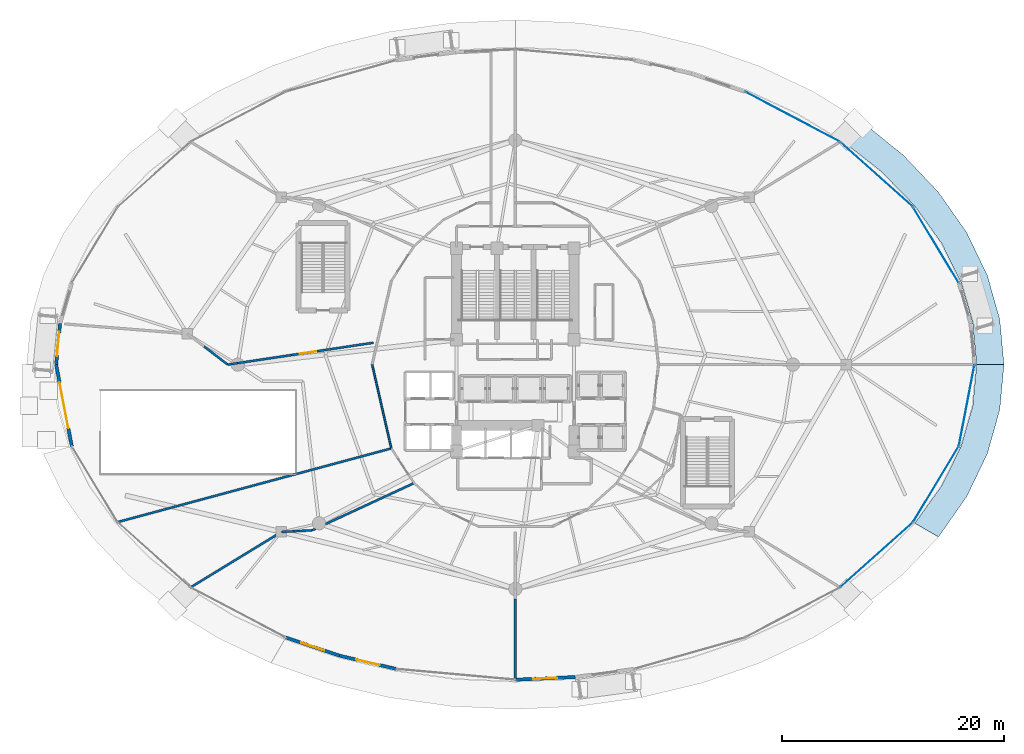
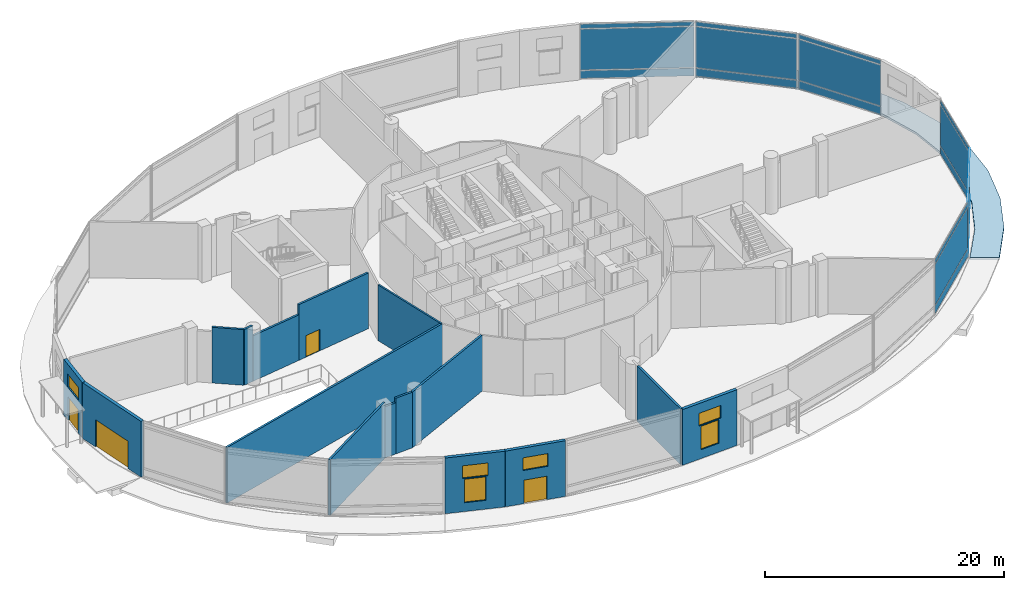
# One storey, part 30 of 40: 18 plates, 16 walls, 6 windows, 4 doors, 2 slabs, 10 openings, 6 elements without a shape of their own.
"""IFC4 building model written with IfcOpenShell, lengths in metres."""

import ifcopenshell
import ifcopenshell.guid

model = None  # the IFC model being written
_history = None  # IfcOwnerHistory: only IFC2X3 demands one
_inside = {}  # id of a spatial element -> (the spatial element, [elements in it])
_under = {}  # id of a project, library or spatial element -> (it, [spatial elements below it])
_declared = {}  # id of a project -> (the project, [libraries it declares])
_typed = {}  # id of a type object -> (the type object, [elements of that type])
_made_of = {}  # id of a material, layer set ... -> (it, [elements and type objects made of it])


def new_model(schema):
    """Start an empty IFC model of exactly this schema.

    Asked for "IFC4X3", IfcOpenShell would pick the latest addendum, in which some entities
    have other attributes; the version numbers below select the first issue.
    IFC2X3 requires an IfcOwnerHistory on every rooted entity: one is made here for all.
    """
    global model, _history
    if schema == "IFC4X3":
        model = ifcopenshell.file(schema_version=(4, 3, 0, 0))
    else:
        model = ifcopenshell.file(schema=schema)
    _inside.clear()
    _under.clear()
    _declared.clear()
    _typed.clear()
    _made_of.clear()
    _history = None
    if model.schema == "IFC2X3":
        org = make("IfcOrganization", Name="unknown")
        user = make(
            "IfcPersonAndOrganization",
            ThePerson=make("IfcPerson", FamilyName="unknown"),
            TheOrganization=org,
        )
        app = make(
            "IfcApplication",
            ApplicationDeveloper=org,
            Version="unknown",
            ApplicationFullName="unknown",
            ApplicationIdentifier="unknown",
        )
        _history = make(
            "IfcOwnerHistory",
            OwningUser=user,
            OwningApplication=app,
            ChangeAction="ADDED",
            CreationDate=0,
        )
    return model


def make(cls, **values):
    """One entity of the class cls with the attributes given. An attribute that is None is left unset."""
    return model.create_entity(
        cls, **{name: value for name, value in values.items() if value is not None}
    )


def rooted(cls, **values):
    """An entity with a GlobalId (a new one), such as an element, a storey or a relation."""
    return make(cls, GlobalId=ifcopenshell.guid.new(), OwnerHistory=_history, **values)


def si_unit(unit_type, name, prefix=None):
    """IfcSIUnit, for example si_unit("LENGTHUNIT", "METRE", prefix="MILLI")."""
    return make("IfcSIUnit", UnitType=unit_type, Prefix=prefix, Name=name)


def assignment(units):
    """IfcUnitAssignment: the units of a project."""
    return None if units is None else make("IfcUnitAssignment", Units=units)


def point(xyz):
    """IfcCartesianPoint."""
    return None if xyz is None else make("IfcCartesianPoint", Coordinates=xyz)


def direction(xyz):
    """IfcDirection."""
    return None if xyz is None else make("IfcDirection", DirectionRatios=xyz)


def frame(location, z_axis=None, x_axis=None):
    """IfcAxis2Placement3D, a coordinate frame: its origin and axes. An axis left out is left unset."""
    return make(
        "IfcAxis2Placement3D",
        Location=point(location),
        Axis=direction(z_axis),
        RefDirection=direction(x_axis),
    )


def frame_2d(location, x_axis=None):
    """IfcAxis2Placement2D, a coordinate frame in the plane: its origin and x axis."""
    return make(
        "IfcAxis2Placement2D", Location=point(location), RefDirection=direction(x_axis)
    )


def origin():
    """The frame at (0, 0, 0) with its axes left unset."""
    return frame((0.0, 0.0, 0.0))


def origin_2d():
    """The frame at (0, 0) in the plane with its x axis left unset."""
    return frame_2d((0.0, 0.0))


def place(relative_to, where):
    """IfcLocalPlacement: puts the frame where relative to a parent placement (None: the world)."""
    return make(
        "IfcLocalPlacement", PlacementRelTo=relative_to, RelativePlacement=where
    )


def context(
    kind, dimensions, precision=None, world=None, true_north=None, identifier=None
):
    """IfcGeometricRepresentationContext, for example the 3D "Model" context."""
    return make(
        "IfcGeometricRepresentationContext",
        ContextIdentifier=identifier,
        ContextType=kind,
        CoordinateSpaceDimension=dimensions,
        Precision=precision,
        WorldCoordinateSystem=world,
        TrueNorth=true_north,
    )


def subcontext(parent, identifier, kind, view, scale=None):
    """IfcGeometricRepresentationSubContext, for example "Body" below "Model"."""
    return make(
        "IfcGeometricRepresentationSubContext",
        ContextIdentifier=identifier,
        ContextType=kind,
        ParentContext=parent,
        TargetScale=scale,
        TargetView=view,
    )


def project(units=None, contexts=None):
    """IfcProject with its units and contexts."""
    return rooted(
        "IfcProject",
        Name="project",
        RepresentationContexts=contexts,
        UnitsInContext=assignment(units),
    )


def spatial(cls, under=None, at=None, **own):
    """A site, building, storey or space (cls), placed at a placement, below another one or the project."""
    s = rooted(cls, ObjectPlacement=at, **own)
    if under is not None:
        _under.setdefault(under.id(), (under, []))[1].append(s)
    return s


def polyline(points):
    """IfcPolyline through the points."""
    return make("IfcPolyline", Points=[point(p) for p in points])


def profile(cls, at=None, kind="AREA", **sizes):
    """A parametric profile (cls). Its sizes go by their IFC names, for example OverallWidth=200.0."""
    return make(cls, ProfileType=kind, Position=at, **sizes)


def rectangle(**sizes):
    """IfcRectangleProfileDef."""
    return profile("IfcRectangleProfileDef", **sizes)


def outline(outer, holes=None, kind="AREA"):
    """IfcArbitraryClosedProfileDef: a profile drawn as a closed curve; with holes, ...WithVoids."""
    if holes is None:
        return make("IfcArbitraryClosedProfileDef", ProfileType=kind, OuterCurve=outer)
    return make(
        "IfcArbitraryProfileDefWithVoids",
        ProfileType=kind,
        OuterCurve=outer,
        InnerCurves=holes,
    )


def extrude(swept, where, along, depth):
    """IfcExtrudedAreaSolid: the profile swept, set in the frame where, extruded along a direction by depth."""
    return make(
        "IfcExtrudedAreaSolid",
        SweptArea=swept,
        Position=where,
        ExtrudedDirection=direction(along),
        Depth=depth,
    )


def shape(context_of_items, identifier, shape_type, items):
    """IfcShapeRepresentation: the items that make up one representation, for example the "Body"."""
    return make(
        "IfcShapeRepresentation",
        ContextOfItems=context_of_items,
        RepresentationIdentifier=identifier,
        RepresentationType=shape_type,
        Items=items,
    )


def material(Name=None, Category=None):
    """IfcMaterial."""
    return make("IfcMaterial", Name=Name, Category=Category)


def layer(
    of_material, thickness, ventilated=None, Name=None, Category=None, Priority=None
):
    """IfcMaterialLayer: one layer of a wall or slab, of a material (None: an air gap)."""
    return make(
        "IfcMaterialLayer",
        Material=of_material,
        LayerThickness=thickness,
        IsVentilated=ventilated,
        Name=Name,
        Category=Category,
        Priority=Priority,
    )


def layer_set(layers, Name=None):
    """IfcMaterialLayerSet."""
    return make("IfcMaterialLayerSet", MaterialLayers=layers, LayerSetName=Name)


def made_of(thing, what):
    """Note that an element or type object is made of a material, layer set ...; save() writes the relation."""
    if what is not None:
        _made_of.setdefault(what.id(), (what, []))[1].append(thing)
    return thing


def type_object(cls, material=None, **own):
    """A type object (cls), such as IfcWallType, which elements share."""
    return made_of(rooted(cls, **own), material)


def element(
    cls,
    number,
    at=None,
    inside=None,
    cuts=None,
    type_object=None,
    material=None,
    context=None,
    identifier="Body",
    shape_type=None,
    held_by="IfcProductDefinitionShape",
    body=None,
    shapes=None,
    **own,
):
    """One element of the class cls, such as IfcWall. Its Tag is "e" and its number.

    at: its placement. inside: the storey or other place that contains it. cuts: it is an
    opening in that element (IfcRelVoidsElement). A single representation is given by context,
    identifier, shape_type and body (its items); several are given by shapes. held_by: the class
    of the entity that holds the representations. save() writes the other relations.
    """
    e = rooted(cls, Tag="e%d" % number, ObjectPlacement=at, **own)
    if body is not None:
        shapes = [shape(context, identifier, shape_type, body)]
    if shapes is not None:
        e.Representation = make(held_by, Representations=shapes)
    if inside is not None:
        _inside.setdefault(inside.id(), (inside, []))[1].append(e)
    if cuts is not None:
        rooted(
            "IfcRelVoidsElement", RelatingBuildingElement=cuts, RelatedOpeningElement=e
        )
    if type_object is not None:
        _typed.setdefault(type_object.id(), (type_object, []))[1].append(e)
    return made_of(e, material)


def fill(opening, filler):
    """IfcRelFillsElement: the door or window that sits in an opening."""
    return rooted(
        "IfcRelFillsElement",
        RelatingOpeningElement=opening,
        RelatedBuildingElement=filler,
    )


def aggregate(whole, parts):
    """IfcRelAggregates: a whole, such as a stair, and the parts it consists of."""
    return rooted("IfcRelAggregates", RelatingObject=whole, RelatedObjects=parts)


def save(model, path):
    """Write the relations noted so far, then the file.

    IfcRelAggregates (storeys below a building ...), IfcRelContainedInSpatialStructure (elements
    in a storey), IfcRelDefinesByType, IfcRelAssociatesMaterial and IfcRelDeclares: one each for
    every whole, place, type object, material and project.
    """
    for whole, parts in _under.values():
        aggregate(whole, parts)
    for where, things in _inside.values():
        rooted(
            "IfcRelContainedInSpatialStructure",
            RelatedElements=things,
            RelatingStructure=where,
        )
    for kind, things in _typed.values():
        rooted("IfcRelDefinesByType", RelatedObjects=things, RelatingType=kind)
    for what, things in _made_of.values():
        rooted("IfcRelAssociatesMaterial", RelatedObjects=things, RelatingMaterial=what)
    for by, libraries in _declared.values():
        rooted("IfcRelDeclares", RelatingContext=by, RelatedDefinitions=libraries)
    model.write(path)


model = new_model("IFC4")

# Units and contexts
model_context = context("Model", 3, precision=1e-05, world=origin(), true_north=direction((0.0, 1.0)))
body_context = subcontext(model_context, "Body", "Model", "MODEL_VIEW")
ifc_project = project(units=[si_unit("LENGTHUNIT", "METRE"), si_unit("AREAUNIT", "SQUARE_METRE"), si_unit("VOLUMEUNIT", "CUBIC_METRE"), si_unit("PLANEANGLEUNIT", "RADIAN"), si_unit("MASSUNIT", "GRAM", prefix="KILO")], contexts=[model_context])

# Site, building, storey
site_placement = place(None, origin())
site = spatial("IfcSite", under=ifc_project, at=site_placement, CompositionType="ELEMENT")
building_placement = place(site_placement, origin())
building = spatial("IfcBuilding", under=site, at=building_placement, Name="Nuhasar Tower", CompositionType="ELEMENT")
storey_placement = place(building_placement, origin())
storey = spatial("IfcBuildingStorey", under=building, at=storey_placement, Name="L00", CompositionType="ELEMENT", Elevation=0.0)

# Curtain wall, plates
ifc_material_1 = material(Name="Aluminium 6063-T6", Category="aluminium")
ifc_layer_1 = layer(ifc_material_1, 0.219970703125)
ifc_layer_set_1 = layer_set([ifc_layer_1], Name="Aluminium 6063-T6")
curtain_wall_type = type_object("IfcCurtainWallType", Name="CW-PODIUM", PredefinedType="NOTDEFINED", material=ifc_layer_set_1)
curtain_wall_1_placement = place(storey_placement, origin())
curtain_wall_1 = element("IfcCurtainWall", 1, at=curtain_wall_1_placement, inside=storey, type_object=curtain_wall_type, Name="L00 Podium Curtain Wall Bay 02", PredefinedType="NOTDEFINED")
ifc_material_2 = material(Name="Glass Double Low-E", Category="glass")
ifc_layer_2 = layer(ifc_material_2, 0.028076171875)
ifc_layer_set_2 = layer_set([ifc_layer_2], Name="Glass Double Low-E")
plate_type_1 = type_object("IfcPlateType", Name="CW-PANEL-GLZ", PredefinedType="CURTAIN_PANEL", material=ifc_layer_set_2)
plate_1_placement = place(storey_placement, frame((76.9580078125, 37.590576171875, 0.9375), z_axis=(0.0, 0.0, 1.0), x_axis=(-0.516751732158, 0.856135297317, 0.0)))
plate_1 = element("IfcPlate", 2, at=plate_1_placement, type_object=plate_type_1, Name="CW-P1 panel 1.2", PredefinedType="CURTAIN_PANEL", context=body_context, shape_type="SweptSolid", body=[
    extrude(rectangle(XDim=7.861572265625, YDim=0.028076171875, at=origin_2d()), origin(), (0.0, 0.0, 1.0), 4.175048828125),
])
plate_2_placement = place(storey_placement, frame((76.9580078125, 37.590576171875, 5.1875), z_axis=(0.0, 0.0, 1.0), x_axis=(-0.516751732158, 0.856135297317, 0.0)))
plate_2 = element("IfcPlate", 3, at=plate_2_placement, type_object=plate_type_1, Name="CW-P1 panel 1.3", PredefinedType="CURTAIN_PANEL", context=body_context, shape_type="SweptSolid", body=[
    extrude(rectangle(XDim=7.861572265625, YDim=0.028076171875, at=origin_2d()), origin(), (0.0, 0.0, 1.0), 0.4375),
])

curtain_wall_2_placement = place(storey_placement, origin())
curtain_wall_2 = element("IfcCurtainWall", 4, at=curtain_wall_2_placement, inside=storey, type_object=curtain_wall_type, Name="L00 Podium Curtain Wall Bay 03", PredefinedType="NOTDEFINED")
plate_3_placement = place(storey_placement, frame((71.595458984375, 43.965087890625, 0.9375), z_axis=(0.0, 0.0, 1.0), x_axis=(-0.745344915348, 0.666679051092, 0.0)))
plate_3 = element("IfcPlate", 5, at=plate_3_placement, type_object=plate_type_1, Name="CW-P1 panel 1.2", PredefinedType="CURTAIN_PANEL", context=body_context, shape_type="SweptSolid", body=[
    extrude(rectangle(XDim=8.684814453125, YDim=0.028076171875, at=origin_2d()), origin(), (0.0, 0.0, 1.0), 4.175048828125),
])
plate_4_placement = place(storey_placement, frame((71.595458984375, 43.965087890625, 5.1875), z_axis=(0.0, 0.0, 1.0), x_axis=(-0.745344915348, 0.666679051092, 0.0)))
plate_4 = element("IfcPlate", 6, at=plate_4_placement, type_object=plate_type_1, Name="CW-P1 panel 1.3", PredefinedType="CURTAIN_PANEL", context=body_context, shape_type="SweptSolid", body=[
    extrude(rectangle(XDim=8.684814453125, YDim=0.028076171875, at=origin_2d()), origin(), (0.0, 0.0, 1.0), 0.4375),
])

curtain_wall_3_placement = place(storey_placement, origin())
curtain_wall_3 = element("IfcCurtainWall", 7, at=curtain_wall_3_placement, inside=storey, type_object=curtain_wall_type, Name="L00 Podium Curtain Wall Bay 04", PredefinedType="NOTDEFINED")
plate_5_placement = place(storey_placement, frame((64.011474609375, 49.169921875, 0.9375), z_axis=(0.0, 0.0, 1.0), x_axis=(-0.88480638751, 0.46595885722, 0.0)))
plate_5 = element("IfcPlate", 8, at=plate_5_placement, type_object=plate_type_1, Name="CW-P1 panel 1.2", PredefinedType="CURTAIN_PANEL", context=body_context, shape_type="SweptSolid", body=[
    extrude(rectangle(XDim=9.550537109375, YDim=0.028076171875, at=origin_2d()), origin(), (0.0, 0.0, 1.0), 4.175048828125),
])
plate_6_placement = place(storey_placement, frame((64.011474609375, 49.169921875, 5.1875), z_axis=(0.0, 0.0, 1.0), x_axis=(-0.88480638751, 0.46595885722, 0.0)))
plate_6 = element("IfcPlate", 9, at=plate_6_placement, type_object=plate_type_1, Name="CW-P1 panel 1.3", PredefinedType="CURTAIN_PANEL", context=body_context, shape_type="SweptSolid", body=[
    extrude(rectangle(XDim=9.550537109375, YDim=0.028076171875, at=origin_2d()), origin(), (0.0, 0.0, 1.0), 0.4375),
])

curtain_wall_4_placement = place(storey_placement, origin())
curtain_wall_4 = element("IfcCurtainWall", 10, at=curtain_wall_4_placement, inside=storey, type_object=curtain_wall_type, Name="L00 Podium Curtain Wall Bay 22", PredefinedType="NOTDEFINED")
plate_7_placement = place(storey_placement, frame((71.595458984375, 9.635009765625, 0.9375), z_axis=(0.0, 0.0, 1.0), x_axis=(0.745344915348, 0.666679051092, 0.0)))
plate_7 = element("IfcPlate", 11, at=plate_7_placement, type_object=plate_type_1, Name="CW-P1 panel 1.2", PredefinedType="CURTAIN_PANEL", context=body_context, shape_type="SweptSolid", body=[
    extrude(rectangle(XDim=8.684814453125, YDim=0.028076171875, at=origin_2d()), origin(), (0.0, 0.0, 1.0), 4.175048828125),
])
plate_8_placement = place(storey_placement, frame((71.595458984375, 9.635009765625, 5.1875), z_axis=(0.0, 0.0, 1.0), x_axis=(0.745344915348, 0.666679051092, 0.0)))
plate_8 = element("IfcPlate", 12, at=plate_8_placement, type_object=plate_type_1, Name="CW-P1 panel 1.3", PredefinedType="CURTAIN_PANEL", context=body_context, shape_type="SweptSolid", body=[
    extrude(rectangle(XDim=8.684814453125, YDim=0.028076171875, at=origin_2d()), origin(), (0.0, 0.0, 1.0), 0.4375),
])

curtain_wall_5_placement = place(storey_placement, origin())
curtain_wall_5 = element("IfcCurtainWall", 13, at=curtain_wall_5_placement, inside=storey, type_object=curtain_wall_type, Name="L00 Podium Curtain Wall Bay 23", PredefinedType="NOTDEFINED")
plate_9_placement = place(storey_placement, frame((76.9580078125, 16.009521484375, 0.9375), z_axis=(0.0, 0.0, 1.0), x_axis=(0.516751732158, 0.856135297317, 0.0)))
plate_9 = element("IfcPlate", 14, at=plate_9_placement, type_object=plate_type_1, Name="CW-P1 panel 1.2", PredefinedType="CURTAIN_PANEL", context=body_context, shape_type="SweptSolid", body=[
    extrude(rectangle(XDim=7.861572265625, YDim=0.028076171875, at=origin_2d()), origin(), (0.0, 0.0, 1.0), 4.175048828125),
])
plate_10_placement = place(storey_placement, frame((76.9580078125, 16.009521484375, 5.1875), z_axis=(0.0, 0.0, 1.0), x_axis=(0.516751732158, 0.856135297317, 0.0)))
plate_10 = element("IfcPlate", 15, at=plate_10_placement, type_object=plate_type_1, Name="CW-P1 panel 1.3", PredefinedType="CURTAIN_PANEL", context=body_context, shape_type="SweptSolid", body=[
    extrude(rectangle(XDim=7.861572265625, YDim=0.028076171875, at=origin_2d()), origin(), (0.0, 0.0, 1.0), 0.4375),
])

curtain_wall_6_placement = place(storey_placement, origin())
curtain_wall_6 = element("IfcCurtainWall", 16, at=curtain_wall_6_placement, inside=storey, type_object=curtain_wall_type, Name="L00 Podium Curtain Wall Bay 24", PredefinedType="NOTDEFINED")
plate_11_placement = place(storey_placement, frame((79.73388671875, 23.119384765625, 0.9375), z_axis=(0.0, 0.0, 1.0), x_axis=(0.18838716415, 0.982094840829, 0.0)))
plate_11 = element("IfcPlate", 17, at=plate_11_placement, type_object=plate_type_1, Name="CW-P1 panel 1.2", PredefinedType="CURTAIN_PANEL", context=body_context, shape_type="SweptSolid", body=[
    extrude(rectangle(XDim=7.34521484375, YDim=0.028076171875, at=origin_2d()), origin(), (0.0, 0.0, 1.0), 4.175048828125),
])
plate_12_placement = place(storey_placement, frame((79.73388671875, 23.119384765625, 5.1875), z_axis=(0.0, 0.0, 1.0), x_axis=(0.18838716415, 0.982094840829, 0.0)))
plate_12 = element("IfcPlate", 18, at=plate_12_placement, type_object=plate_type_1, Name="CW-P1 panel 1.3", PredefinedType="CURTAIN_PANEL", context=body_context, shape_type="SweptSolid", body=[
    extrude(rectangle(XDim=7.34521484375, YDim=0.028076171875, at=origin_2d()), origin(), (0.0, 0.0, 1.0), 0.4375),
])

# Plate
ifc_material_3 = material(Name="Glass Spandrel", Category="glass")
ifc_layer_3 = layer(ifc_material_3, 0.035888671875)
ifc_layer_set_3 = layer_set([ifc_layer_3], Name="Glass Spandrel")
plate_type_2 = type_object("IfcPlateType", Name="CW-PANEL-SPN", PredefinedType="CURTAIN_PANEL", material=ifc_layer_set_3)
plate_13_placement = place(storey_placement, frame((76.9580078125, 37.590576171875, 0.074951171875), z_axis=(0.0, 0.0, 1.0), x_axis=(-0.516751732158, 0.856135297317, 0.0)))
plate_13 = element("IfcPlate", 19, at=plate_13_placement, type_object=plate_type_2, Name="CW-P1 panel 1.1", PredefinedType="CURTAIN_PANEL", context=body_context, shape_type="SweptSolid", body=[
    extrude(rectangle(XDim=7.861572265625, YDim=0.035888671875, at=origin_2d()), origin(), (0.0, 0.0, 1.0), 0.78759765625),
])

aggregate(curtain_wall_1, [plate_13, plate_1, plate_2])

plate_14_placement = place(storey_placement, frame((71.595458984375, 43.965087890625, 0.074951171875), z_axis=(0.0, 0.0, 1.0), x_axis=(-0.745344915348, 0.666679051092, 0.0)))
plate_14 = element("IfcPlate", 20, at=plate_14_placement, type_object=plate_type_2, Name="CW-P1 panel 1.1", PredefinedType="CURTAIN_PANEL", context=body_context, shape_type="SweptSolid", body=[
    extrude(rectangle(XDim=8.684814453125, YDim=0.035888671875, at=origin_2d()), origin(), (0.0, 0.0, 1.0), 0.78759765625),
])

aggregate(curtain_wall_2, [plate_14, plate_3, plate_4])

plate_15_placement = place(storey_placement, frame((64.011474609375, 49.169921875, 0.074951171875), z_axis=(0.0, 0.0, 1.0), x_axis=(-0.88480638751, 0.46595885722, 0.0)))
plate_15 = element("IfcPlate", 21, at=plate_15_placement, type_object=plate_type_2, Name="CW-P1 panel 1.1", PredefinedType="CURTAIN_PANEL", context=body_context, shape_type="SweptSolid", body=[
    extrude(rectangle(XDim=9.550537109375, YDim=0.035888671875, at=origin_2d()), origin(), (0.0, 0.0, 1.0), 0.78759765625),
])

aggregate(curtain_wall_3, [plate_15, plate_5, plate_6])

plate_16_placement = place(storey_placement, frame((71.595458984375, 9.635009765625, 0.074951171875), z_axis=(0.0, 0.0, 1.0), x_axis=(0.745344915348, 0.666679051092, 0.0)))
plate_16 = element("IfcPlate", 22, at=plate_16_placement, type_object=plate_type_2, Name="CW-P1 panel 1.1", PredefinedType="CURTAIN_PANEL", context=body_context, shape_type="SweptSolid", body=[
    extrude(rectangle(XDim=8.684814453125, YDim=0.035888671875, at=origin_2d()), origin(), (0.0, 0.0, 1.0), 0.78759765625),
])

aggregate(curtain_wall_4, [plate_16, plate_7, plate_8])

plate_17_placement = place(storey_placement, frame((76.9580078125, 16.009521484375, 0.074951171875), z_axis=(0.0, 0.0, 1.0), x_axis=(0.516751732158, 0.856135297317, 0.0)))
plate_17 = element("IfcPlate", 23, at=plate_17_placement, type_object=plate_type_2, Name="CW-P1 panel 1.1", PredefinedType="CURTAIN_PANEL", context=body_context, shape_type="SweptSolid", body=[
    extrude(rectangle(XDim=7.861572265625, YDim=0.035888671875, at=origin_2d()), origin(), (0.0, 0.0, 1.0), 0.78759765625),
])

aggregate(curtain_wall_5, [plate_17, plate_9, plate_10])

plate_18_placement = place(storey_placement, frame((79.73388671875, 23.119384765625, 0.074951171875), z_axis=(0.0, 0.0, 1.0), x_axis=(0.18838716415, 0.982094840829, 0.0)))
plate_18 = element("IfcPlate", 24, at=plate_18_placement, type_object=plate_type_2, Name="CW-P1 panel 1.1", PredefinedType="CURTAIN_PANEL", context=body_context, shape_type="SweptSolid", body=[
    extrude(rectangle(XDim=7.34521484375, YDim=0.035888671875, at=origin_2d()), origin(), (0.0, 0.0, 1.0), 0.78759765625),
])

aggregate(curtain_wall_6, [plate_18, plate_11, plate_12])

# Slabs
ifc_material_4 = material(Name="Concrete C40/50", Category="concrete")
ifc_layer_4 = layer(ifc_material_4, 0.219970703125)
ifc_layer_set_4 = layer_set([ifc_layer_4], Name="Concrete C40/50")
slab_type = type_object("IfcSlabType", Name="SLB-PAV-220", PredefinedType="USERDEFINED", material=ifc_layer_set_4)
slab_1_placement = place(storey_placement, frame((0.0, 0.0, -0.219970703125)))
element("IfcSlab", 25, at=slab_1_placement, inside=storey, type_object=slab_type, Name="L00 Arrival Forecourt Plaza E", ObjectType="PAVING", PredefinedType="USERDEFINED", context=body_context, shape_type="SweptSolid", body=[
    extrude(outline(polyline([(83.10009765625, 26.800048828125), (82.722900390625, 30.85888671875), (81.596923828125, 34.84912109375), (79.742919921875, 38.700927734375), (77.19189453125, 42.35009765625), (73.987060546875, 45.73193359375), (70.18310546875, 48.791015625), (68.43701171875, 47.0439453125), (72.027099609375, 44.22900390625), (75.052978515625, 41.114990234375), (77.4609375, 37.756103515625), (79.2109375, 34.2099609375), (80.27392578125, 30.537109375), (80.6298828125, 26.800048828125), (83.10009765625, 26.800048828125)])), origin(), (0.0, 0.0, 1.0), 0.219970703125),
])
slab_2_placement = place(storey_placement, frame((0.0, 0.0, -0.219970703125)))
element("IfcSlab", 26, at=slab_2_placement, inside=storey, type_object=slab_type, Name="L00 Arrival Forecourt Plaza ESE", ObjectType="PAVING", PredefinedType="USERDEFINED", context=body_context, shape_type="SweptSolid", body=[
    extrude(outline(polyline([(77.19189453125, 11.25), (79.742919921875, 14.89892578125), (81.596923828125, 18.7509765625), (82.722900390625, 22.740966796875), (83.10009765625, 26.800048828125), (80.6298828125, 26.800048828125), (80.27392578125, 23.06298828125), (79.2109375, 19.389892578125), (77.4609375, 15.843994140625), (75.052978515625, 12.485107421875), (77.19189453125, 11.25)])), origin(), (0.0, 0.0, 1.0), 0.219970703125),
])

# Wall, openings, door, window
ifc_material_5 = material(Name="Concrete C45/55", Category="concrete")
ifc_layer_5 = layer(ifc_material_5, 0.239990234375)
ifc_material_6 = material(Name="Limestone Ashlar", Category="masonry")
ifc_layer_6 = layer(ifc_material_6, 0.06005859375)
ifc_layer_set_5 = layer_set([ifc_layer_5, ifc_layer_6], Name="Concrete C45/55")
wall_type_1 = type_object("IfcWallType", Name="WL-ARC-300", PredefinedType="STANDARD", material=ifc_layer_set_5)
wall_1_placement = place(storey_placement, frame((-2.43994140625, 26.800048828125, 0.0), z_axis=(0.0, 0.0, 1.0), x_axis=(0.09519839492, 0.995458319371, 0.0)))
wall_1 = element("IfcWall", 27, at=wall_1_placement, inside=storey, type_object=wall_type_1, Name="L00 Limestone Arcade Spandrel Pier 12-2", PredefinedType="STANDARD", context=body_context, shape_type="SweptSolid", body=[
    extrude(rectangle(XDim=3.728759765625, YDim=0.300048828125, at=frame_2d((1.8642578125, 0.0))), origin(), (0.0, 0.0, 1.0), 5.699951171875),
])
opening_1_placement = place(wall_1_placement, frame((0.864013671875, 0.0, 0.0)))
opening_1 = element("IfcOpeningElement", 28, at=opening_1_placement, cuts=wall_1, Name="Opening DX-01", PredefinedType="OPENING", context=body_context, shape_type="SweptSolid", body=[
    extrude(rectangle(XDim=2.0, YDim=2.39990234375, at=frame_2d((1.0, 1.199951171875))), frame((0.0, 0.16015625, 0.0), z_axis=(0.0, -1.0, 0.0), x_axis=(1.0, 0.0, 0.0)), (0.0, 0.0, 1.0), 0.320068359375),
])
opening_2_placement = place(wall_1_placement, frame((0.763916015625, 0.0, 3.39990234375)))
opening_2 = element("IfcOpeningElement", 29, at=opening_2_placement, cuts=wall_1, Name="Opening WX-03", PredefinedType="OPENING", context=body_context, shape_type="SweptSolid", body=[
    extrude(rectangle(XDim=2.199951171875, YDim=1.300048828125, at=frame_2d((1.10009765625, 0.64990234375))), frame((0.0, 0.16015625, 0.0), z_axis=(0.0, -1.0, 0.0), x_axis=(1.0, 0.0, 0.0)), (0.0, 0.0, 1.0), 0.320068359375),
])
door_type_1 = type_object("IfcDoorType", Name="DR-EXT-2000", OperationType="DOUBLE_DOOR_SINGLE_SWING", PredefinedType="DOOR", material=ifc_material_1)
door_1_placement = place(opening_1_placement, origin())
door_1 = element("IfcDoor", 30, at=door_1_placement, inside=storey, type_object=door_type_1, Name="L00 Main Plaza Entrance Portal 12", OperationType="DOUBLE_DOOR_SINGLE_SWING", OverallHeight=2.39990234375, OverallWidth=2.0, PredefinedType="DOOR", context=body_context, shape_type="SweptSolid", body=[
    extrude(rectangle(XDim=2.0, YDim=2.39990234375, at=frame_2d((1.0, 1.199951171875))), frame((0.0, 0.02490234375, 0.0), z_axis=(0.0, -1.0, 0.0), x_axis=(1.0, 0.0, 0.0)), (0.0, 0.0, 1.0), 0.050048828125),
])
fill(opening_1, door_1)
window_type_1 = type_object("IfcWindowType", Name="WIN-CLER-2200", PartitioningType="DOUBLE_PANEL_HORIZONTAL", PredefinedType="WINDOW", material=ifc_material_2)
window_1_placement = place(opening_2_placement, origin())
window_1 = element("IfcWindow", 31, at=window_1_placement, inside=storey, type_object=window_type_1, Name="L00 Clerestory Light Window 12-2", OverallHeight=1.300048828125, OverallWidth=2.199951171875, PartitioningType="DOUBLE_PANEL_HORIZONTAL", PredefinedType="WINDOW", context=body_context, shape_type="SweptSolid", body=[
    extrude(rectangle(XDim=2.199951171875, YDim=1.300048828125, at=frame_2d((1.10009765625, 0.64990234375))), frame((0.0, 0.030029296875, 0.0), z_axis=(0.0, -1.0, 0.0), x_axis=(1.0, 0.0, 0.0)), (0.0, 0.0, 1.0), 0.06005859375),
])
fill(opening_2, window_1)

# Wall, opening, door
wall_2_placement = place(storey_placement, frame((-1.028076171875, 19.43896484375, 0.0), z_axis=(0.0, 0.0, 1.0), x_axis=(-0.188367749019, 0.982098564875, 0.0)))
wall_2 = element("IfcWall", 32, at=wall_2_placement, inside=storey, type_object=wall_type_1, Name="L00 West Vehicular Ramp Portal Wall", PredefinedType="STANDARD", context=body_context, shape_type="SweptSolid", body=[
    extrude(rectangle(XDim=7.495361328125, YDim=0.300048828125, at=frame_2d((3.74755859375, 0.0))), origin(), (0.0, 0.0, 1.0), 5.699951171875),
])
opening_3_placement = place(wall_2_placement, frame((1.64794921875, 0.0, 0.0)))
opening_3 = element("IfcOpeningElement", 33, at=opening_3_placement, cuts=wall_2, Name="Opening VG-01", PredefinedType="OPENING", context=body_context, shape_type="SweptSolid", body=[
    extrude(rectangle(XDim=4.199951171875, YDim=2.800048828125, at=frame_2d((2.10009765625, 1.39990234375))), frame((0.0, 0.16015625, 0.0), z_axis=(0.0, -1.0, 0.0), x_axis=(1.0, 0.0, 0.0)), (0.0, 0.0, 1.0), 0.320068359375),
])
door_type_2 = type_object("IfcDoorType", Name="DR-VEH-EXT-4200", OperationType="ROLLINGUP", PredefinedType="GATE", material=ifc_material_1)
door_2_placement = place(opening_3_placement, origin())
door_2 = element("IfcDoor", 34, at=door_2_placement, inside=storey, type_object=door_type_2, Name="L00 West Vehicular Ramp Entrance Gate VG-01", OperationType="ROLLINGUP", OverallHeight=2.800048828125, OverallWidth=4.199951171875, PredefinedType="GATE", context=body_context, shape_type="SweptSolid", body=[
    extrude(rectangle(XDim=4.199951171875, YDim=2.800048828125, at=frame_2d((2.10009765625, 1.39990234375))), frame((0.0, 0.02490234375, 0.0), z_axis=(0.0, -1.0, 0.0), x_axis=(1.0, 0.0, 0.0)), (0.0, 0.0, 1.0), 0.050048828125),
])
fill(opening_3, door_2)

# Wall, openings, windows
wall_3_placement = place(storey_placement, frame((23.14208984375, 0.52490234375, 0.0), z_axis=(0.0, 0.0, 1.0), x_axis=(-0.947251518608, 0.320491123895, 0.0)))
wall_3 = element("IfcWall", 35, at=wall_3_placement, inside=storey, type_object=wall_type_1, Name="L00 Limestone Arcade Spandrel Pier 17-1", PredefinedType="STANDARD", context=body_context, shape_type="SweptSolid", body=[
    extrude(rectangle(XDim=5.1328125, YDim=0.300048828125, at=frame_2d((2.56640625, 0.0))), origin(), (0.0, 0.0, 1.0), 5.699951171875),
])
opening_4_placement = place(wall_3_placement, frame((1.666015625, 0.0, 0.89990234375)))
opening_4 = element("IfcOpeningElement", 36, at=opening_4_placement, cuts=wall_3, Name="Opening WX-01", PredefinedType="OPENING", context=body_context, shape_type="SweptSolid", body=[
    extrude(rectangle(XDim=1.800048828125, YDim=2.39990234375, at=frame_2d((0.89990234375, 1.199951171875))), frame((0.0, 0.16015625, 0.0), z_axis=(0.0, -1.0, 0.0), x_axis=(1.0, 0.0, 0.0)), (0.0, 0.0, 1.0), 0.320068359375),
])
opening_5_placement = place(wall_3_placement, frame((1.466064453125, 0.0, 3.39990234375)))
opening_5 = element("IfcOpeningElement", 37, at=opening_5_placement, cuts=wall_3, Name="Opening WX-03", PredefinedType="OPENING", context=body_context, shape_type="SweptSolid", body=[
    extrude(rectangle(XDim=2.199951171875, YDim=1.300048828125, at=frame_2d((1.10009765625, 0.64990234375))), frame((0.0, 0.16015625, 0.0), z_axis=(0.0, -1.0, 0.0), x_axis=(1.0, 0.0, 0.0)), (0.0, 0.0, 1.0), 0.320068359375),
])
window_type_2 = type_object("IfcWindowType", Name="WIN-ARC-1800", PartitioningType="DOUBLE_PANEL_VERTICAL", PredefinedType="WINDOW", material=ifc_material_2)
window_2_placement = place(opening_4_placement, origin())
window_2 = element("IfcWindow", 38, at=window_2_placement, inside=storey, type_object=window_type_2, Name="L00 Arcade Vision Window 17", OverallHeight=2.39990234375, OverallWidth=1.800048828125, PartitioningType="DOUBLE_PANEL_VERTICAL", PredefinedType="WINDOW", context=body_context, shape_type="SweptSolid", body=[
    extrude(rectangle(XDim=1.800048828125, YDim=2.39990234375, at=frame_2d((0.89990234375, 1.199951171875))), frame((0.0, 0.030029296875, 0.0), z_axis=(0.0, -1.0, 0.0), x_axis=(1.0, 0.0, 0.0)), (0.0, 0.0, 1.0), 0.06005859375),
])
fill(opening_4, window_2)
window_3_placement = place(opening_5_placement, origin())
window_3 = element("IfcWindow", 39, at=window_3_placement, inside=storey, type_object=window_type_1, Name="L00 Clerestory Light Window 17-1", OverallHeight=1.300048828125, OverallWidth=2.199951171875, PartitioningType="DOUBLE_PANEL_HORIZONTAL", PredefinedType="WINDOW", context=body_context, shape_type="SweptSolid", body=[
    extrude(rectangle(XDim=2.199951171875, YDim=1.300048828125, at=frame_2d((1.10009765625, 0.64990234375))), frame((0.0, 0.030029296875, 0.0), z_axis=(0.0, -1.0, 0.0), x_axis=(1.0, 0.0, 0.0)), (0.0, 0.0, 1.0), 0.06005859375),
])
fill(opening_5, window_3)

# Wall, openings, door, window
wall_4_placement = place(storey_placement, frame((28.27490234375, -0.6708984375, 0.0), z_axis=(0.0, 0.0, 1.0), x_axis=(-0.973919059094, 0.226895716868, 0.0)))
wall_4 = element("IfcWall", 40, at=wall_4_placement, inside=storey, type_object=wall_type_1, Name="L00 Limestone Arcade Spandrel Pier 17-2", PredefinedType="STANDARD", context=body_context, shape_type="SweptSolid", body=[
    extrude(rectangle(XDim=5.270263671875, YDim=0.300048828125, at=frame_2d((2.63525390625, 0.0))), origin(), (0.0, 0.0, 1.0), 5.699951171875),
])
opening_6_placement = place(wall_4_placement, frame((1.635009765625, 0.0, 0.0)))
opening_6 = element("IfcOpeningElement", 41, at=opening_6_placement, cuts=wall_4, Name="Opening DX-01", PredefinedType="OPENING", context=body_context, shape_type="SweptSolid", body=[
    extrude(rectangle(XDim=2.0, YDim=2.39990234375, at=frame_2d((1.0, 1.199951171875))), frame((0.0, 0.16015625, 0.0), z_axis=(0.0, -1.0, 0.0), x_axis=(1.0, 0.0, 0.0)), (0.0, 0.0, 1.0), 0.320068359375),
])
opening_7_placement = place(wall_4_placement, frame((1.534912109375, 0.0, 3.39990234375)))
opening_7 = element("IfcOpeningElement", 42, at=opening_7_placement, cuts=wall_4, Name="Opening WX-03", PredefinedType="OPENING", context=body_context, shape_type="SweptSolid", body=[
    extrude(rectangle(XDim=2.199951171875, YDim=1.300048828125, at=frame_2d((1.10009765625, 0.64990234375))), frame((0.0, 0.16015625, 0.0), z_axis=(0.0, -1.0, 0.0), x_axis=(1.0, 0.0, 0.0)), (0.0, 0.0, 1.0), 0.320068359375),
])
door_3_placement = place(opening_6_placement, origin())
door_3 = element("IfcDoor", 43, at=door_3_placement, inside=storey, type_object=door_type_1, Name="L00 Main Plaza Entrance Portal 17", OperationType="DOUBLE_DOOR_SINGLE_SWING", OverallHeight=2.39990234375, OverallWidth=2.0, PredefinedType="DOOR", context=body_context, shape_type="SweptSolid", body=[
    extrude(rectangle(XDim=2.0, YDim=2.39990234375, at=frame_2d((1.0, 1.199951171875))), frame((0.0, 0.02490234375, 0.0), z_axis=(0.0, -1.0, 0.0), x_axis=(1.0, 0.0, 0.0)), (0.0, 0.0, 1.0), 0.050048828125),
])
fill(opening_6, door_3)
window_4_placement = place(opening_7_placement, origin())
window_4 = element("IfcWindow", 44, at=window_4_placement, inside=storey, type_object=window_type_1, Name="L00 Clerestory Light Window 17-2", OverallHeight=1.300048828125, OverallWidth=2.199951171875, PartitioningType="DOUBLE_PANEL_HORIZONTAL", PredefinedType="WINDOW", context=body_context, shape_type="SweptSolid", body=[
    extrude(rectangle(XDim=2.199951171875, YDim=1.300048828125, at=frame_2d((1.10009765625, 0.64990234375))), frame((0.0, 0.030029296875, 0.0), z_axis=(0.0, -1.0, 0.0), x_axis=(1.0, 0.0, 0.0)), (0.0, 0.0, 1.0), 0.06005859375),
])
fill(opening_7, window_4)

# Wall, openings, windows
wall_5_placement = place(storey_placement, frame((44.408935546875, -1.39697265625, 0.0), z_axis=(0.0, 0.0, 1.0), x_axis=(-0.998993030562, -0.044865631479, 0.0)))
wall_5 = element("IfcWall", 45, at=wall_5_placement, inside=storey, type_object=wall_type_1, Name="L00 Limestone Arcade Spandrel Pier 19-1", PredefinedType="STANDARD", context=body_context, shape_type="SweptSolid", body=[
    extrude(rectangle(XDim=5.414306640625, YDim=0.300048828125, at=frame_2d((2.70703125, 0.0))), origin(), (0.0, 0.0, 1.0), 5.699951171875),
])
opening_8_placement = place(wall_5_placement, frame((1.806884765625, 0.0, 0.89990234375)))
opening_8 = element("IfcOpeningElement", 46, at=opening_8_placement, cuts=wall_5, Name="Opening WX-01", PredefinedType="OPENING", context=body_context, shape_type="SweptSolid", body=[
    extrude(rectangle(XDim=1.800048828125, YDim=2.39990234375, at=frame_2d((0.89990234375, 1.199951171875))), frame((0.0, 0.16015625, 0.0), z_axis=(0.0, -1.0, 0.0), x_axis=(1.0, 0.0, 0.0)), (0.0, 0.0, 1.0), 0.320068359375),
])
opening_9_placement = place(wall_5_placement, frame((1.60693359375, 0.0, 3.39990234375)))
opening_9 = element("IfcOpeningElement", 47, at=opening_9_placement, cuts=wall_5, Name="Opening WX-03", PredefinedType="OPENING", context=body_context, shape_type="SweptSolid", body=[
    extrude(rectangle(XDim=2.199951171875, YDim=1.300048828125, at=frame_2d((1.10009765625, 0.64990234375))), frame((0.0, 0.16015625, 0.0), z_axis=(0.0, -1.0, 0.0), x_axis=(1.0, 0.0, 0.0)), (0.0, 0.0, 1.0), 0.320068359375),
])
window_5_placement = place(opening_8_placement, origin())
window_5 = element("IfcWindow", 48, at=window_5_placement, inside=storey, type_object=window_type_2, Name="L00 Arcade Vision Window 19", OverallHeight=2.39990234375, OverallWidth=1.800048828125, PartitioningType="DOUBLE_PANEL_VERTICAL", PredefinedType="WINDOW", context=body_context, shape_type="SweptSolid", body=[
    extrude(rectangle(XDim=1.800048828125, YDim=2.39990234375, at=frame_2d((0.89990234375, 1.199951171875))), frame((0.0, 0.030029296875, 0.0), z_axis=(0.0, -1.0, 0.0), x_axis=(1.0, 0.0, 0.0)), (0.0, 0.0, 1.0), 0.06005859375),
])
fill(opening_8, window_5)
window_6_placement = place(opening_9_placement, origin())
window_6 = element("IfcWindow", 49, at=window_6_placement, inside=storey, type_object=window_type_1, Name="L00 Clerestory Light Window 19-1", OverallHeight=1.300048828125, OverallWidth=2.199951171875, PartitioningType="DOUBLE_PANEL_HORIZONTAL", PredefinedType="WINDOW", context=body_context, shape_type="SweptSolid", body=[
    extrude(rectangle(XDim=2.199951171875, YDim=1.300048828125, at=frame_2d((1.10009765625, 0.64990234375))), frame((0.0, 0.030029296875, 0.0), z_axis=(0.0, -1.0, 0.0), x_axis=(1.0, 0.0, 0.0)), (0.0, 0.0, 1.0), 0.06005859375),
])
fill(opening_9, window_6)

# Walls
ifc_material_7 = material(Name="Gypsum Board", Category="gypsum")
ifc_layer_7 = layer(ifc_material_7, 0.159912109375)
ifc_layer_set_6 = layer_set([ifc_layer_7], Name="Gypsum Board")
wall_type_2 = type_object("IfcWallType", Name="WL-CORR-160", PredefinedType="PARTITIONING", material=ifc_layer_set_6)
wall_6_placement = place(storey_placement, frame((26.080078125, 26.800048828125, 0.0), z_axis=(0.0, 0.0, 1.0), x_axis=(0.223185487206, -0.974775993909, 0.0)))
element("IfcWall", 50, at=wall_6_placement, inside=storey, type_object=wall_type_2, Name="L00 Interior Partition CORR-24", PredefinedType="PARTITIONING", context=body_context, shape_type="SweptSolid", body=[
    extrude(rectangle(XDim=7.755615234375, YDim=0.159912109375, at=frame_2d((3.8779296875, 0.0))), origin(), (0.0, 0.0, 1.0), 5.699951171875),
])
ifc_layer_8 = layer(ifc_material_5, 0.199951171875)
ifc_layer_set_7 = layer_set([ifc_layer_8], Name="Concrete C45/55")
wall_type_3 = type_object("IfcWallType", Name="WL-LOBBY-200", PredefinedType="SOLIDWALL", material=ifc_layer_set_7)
wall_7_placement = place(storey_placement, frame((13.050048828125, 26.800048828125, 0.0), z_axis=(0.0, 0.0, 1.0), x_axis=(0.988984554418, 0.148018752601, 0.0)))
element("IfcWall", 51, at=wall_7_placement, inside=storey, type_object=wall_type_3, Name="L00 Interior Partition VEHDRV-N-S1", PredefinedType="SOLIDWALL", context=body_context, shape_type="SweptSolid", body=[
    extrude(rectangle(XDim=0.890625, YDim=0.199951171875, at=frame_2d((0.4453125, 0.0))), origin(), (0.0, 0.0, 1.0), 5.699951171875),
])
wall_8_placement = place(storey_placement, frame((13.930908203125, 26.931884765625, 0.0), z_axis=(0.0, 0.0, 1.0), x_axis=(0.988884860906, 0.148683327484, 0.0)))
element("IfcWall", 52, at=wall_8_placement, inside=storey, type_object=wall_type_3, Name="L00 Interior Partition VEHDRV-N-S1", PredefinedType="SOLIDWALL", context=body_context, shape_type="SweptSolid", body=[
    extrude(rectangle(XDim=4.944091796875, YDim=0.199951171875, at=frame_2d((2.47216796875, 0.0))), origin(), (0.0, 0.0, 1.0), 4.659912109375),
])

# Wall, opening, door
wall_9_placement = place(storey_placement, frame((18.820068359375, 27.6669921875, 0.0), z_axis=(0.0, 0.0, 1.0), x_axis=(0.988910630433, 0.148511834599, 0.0)))
wall_9 = element("IfcWall", 53, at=wall_9_placement, inside=storey, type_object=wall_type_3, Name="L00 Interior Partition VEHDRV-N-S1", PredefinedType="SOLIDWALL", context=body_context, shape_type="SweptSolid", body=[
    extrude(rectangle(XDim=7.45361328125, YDim=0.199951171875, at=frame_2d((3.726806640625, 0.0))), origin(), (0.0, 0.0, 1.0), 5.699951171875),
])
opening_10_placement = place(wall_9_placement, frame((0.72412109375, 0.0, 0.0)))
opening_10 = element("IfcOpeningElement", 54, at=opening_10_placement, cuts=wall_9, Name="Opening DP-01", PredefinedType="OPENING", context=body_context, shape_type="SweptSolid", body=[
    extrude(rectangle(XDim=1.5, YDim=2.199951171875, at=frame_2d((0.75, 1.10009765625))), frame((0.0, 0.10986328125, 0.0), z_axis=(0.0, -1.0, 0.0), x_axis=(1.0, 0.0, 0.0)), (0.0, 0.0, 1.0), 0.219970703125),
])
ifc_material_8 = material(Name="Steel S355", Category="steel")
door_type_3 = type_object("IfcDoorType", Name="DR-PLANT-FD120-1500", OperationType="DOUBLE_DOOR_SINGLE_SWING", PredefinedType="DOOR", material=ifc_material_8)
door_4_placement = place(opening_10_placement, origin())
door_4 = element("IfcDoor", 55, at=door_4_placement, inside=storey, type_object=door_type_3, Name="L00 Ramp Vestibule Lobby Door", OperationType="DOUBLE_DOOR_SINGLE_SWING", OverallHeight=2.199951171875, OverallWidth=1.5, PredefinedType="DOOR", context=body_context, shape_type="SweptSolid", body=[
    extrude(rectangle(XDim=1.5, YDim=2.199951171875, at=frame_2d((0.75, 1.10009765625))), frame((0.0, 0.02490234375, 0.0), z_axis=(0.0, -1.0, 0.0), x_axis=(1.0, 0.0, 0.0)), (0.0, 0.0, 1.0), 0.050048828125),
])
fill(opening_10, door_4)

# Walls
wall_10_placement = place(storey_placement, frame((13.050048828125, 26.800048828125, 0.0), z_axis=(0.0, 0.0, 1.0), x_axis=(-0.794337234882, 0.607477042595, 0.0)))
element("IfcWall", 56, at=wall_10_placement, inside=storey, type_object=wall_type_3, Name="L00 Interior Partition VEHDRV-N-S2", PredefinedType="SOLIDWALL", context=body_context, shape_type="SweptSolid", body=[
    extrude(rectangle(XDim=2.69140625, YDim=0.199951171875, at=frame_2d((1.345703125, 0.0))), origin(), (0.0, 0.0, 1.0), 5.699951171875),
])
wall_11_placement = place(storey_placement, frame((27.81103515625, 19.239990234375, 0.0), z_axis=(0.0, 0.0, 1.0), x_axis=(-0.965611329509, -0.259989923505, 0.0)))
element("IfcWall", 57, at=wall_11_placement, inside=storey, type_object=wall_type_3, Name="L00 Interior Partition VEHDRV-S", PredefinedType="SOLIDWALL", context=body_context, shape_type="SweptSolid", body=[
    extrude(rectangle(XDim=25.547607421875, YDim=0.199951171875, at=frame_2d((12.77392578125, 0.0))), origin(), (0.0, 0.0, 1.0), 5.699951171875),
])
wall_12_placement = place(storey_placement, frame((29.864013671875, 16.10888671875, 0.0), z_axis=(0.0, 0.0, 1.0), x_axis=(-0.907520382507, -0.420008041988, 0.0)))
element("IfcWall", 58, at=wall_12_placement, inside=storey, type_object=wall_type_3, Name="L00 Interior Partition PRAD-30-S1", PredefinedType="SOLIDWALL", context=body_context, shape_type="SweptSolid", body=[
    extrude(rectangle(XDim=10.152099609375, YDim=0.199951171875, at=frame_2d((5.076171875, 0.0))), origin(), (0.0, 0.0, 1.0), 5.699951171875),
])
wall_13_placement = place(storey_placement, frame((20.65087890625, 11.844970703125, 0.0), z_axis=(0.0, 0.0, 1.0), x_axis=(-0.998692725363, -0.051115949639, 0.0)))
element("IfcWall", 59, at=wall_13_placement, inside=storey, type_object=wall_type_3, Name="L00 Interior Partition PRAD-30-S2", PredefinedType="SOLIDWALL", context=body_context, shape_type="SweptSolid", body=[
    extrude(rectangle(XDim=1.64306640625, YDim=0.199951171875, at=frame_2d((0.821533203125, 0.0))), origin(), (0.0, 0.0, 1.0), 5.699951171875),
])
wall_14_placement = place(storey_placement, frame((19.010009765625, 11.760986328125, 0.0), z_axis=(0.0, 0.0, 1.0), x_axis=(-0.998649603439, -0.051951607785, 0.0)))
element("IfcWall", 60, at=wall_14_placement, inside=storey, type_object=wall_type_3, Name="L00 Interior Partition PRAD-30-S2", PredefinedType="SOLIDWALL", context=body_context, shape_type="SweptSolid", body=[
    extrude(rectangle(XDim=1.118408203125, YDim=0.199951171875, at=frame_2d((0.55908203125, 0.0))), origin(), (0.0, 0.0, 1.0), 5.239990234375),
])
wall_15_placement = place(storey_placement, frame((17.89306640625, 11.702880859375, 0.0), z_axis=(0.0, 0.0, 1.0), x_axis=(-0.853545862143, -0.5210177168, 0.0)))
element("IfcWall", 61, at=wall_15_placement, inside=storey, type_object=wall_type_3, Name="L00 Interior Partition PRAD-30-S3", PredefinedType="SOLIDWALL", context=body_context, shape_type="SweptSolid", body=[
    extrude(rectangle(XDim=9.5732421875, YDim=0.199951171875, at=frame_2d((4.78662109375, 0.0))), origin(), (0.0, 0.0, 1.0), 5.699951171875),
])
ifc_material_9 = material(Name="Concrete C40/50 precast", Category="concrete")
ifc_layer_9 = layer(ifc_material_9, 0.199951171875)
ifc_layer_set_8 = layer_set([ifc_layer_9], Name="Concrete C40/50 precast")
wall_type_4 = type_object("IfcWallType", Name="WL-UNIT-200", PredefinedType="PARTITIONING", material=ifc_layer_set_8)
wall_16_placement = place(storey_placement, frame((39.0, 5.64990234375, 0.0), z_axis=(0.0, 0.0, 1.0), x_axis=(0.0, -1.0, 0.0)))
element("IfcWall", 62, at=wall_16_placement, inside=storey, type_object=wall_type_4, Name="L00 Interior Partition PRAD-36-S2", PredefinedType="PARTITIONING", context=body_context, shape_type="SweptSolid", body=[
    extrude(rectangle(XDim=7.2548828125, YDim=0.199951171875, at=frame_2d((3.62744140625, 0.0))), origin(), (0.0, 0.0, 1.0), 5.699951171875),
])

save(model, "model.ifc")
